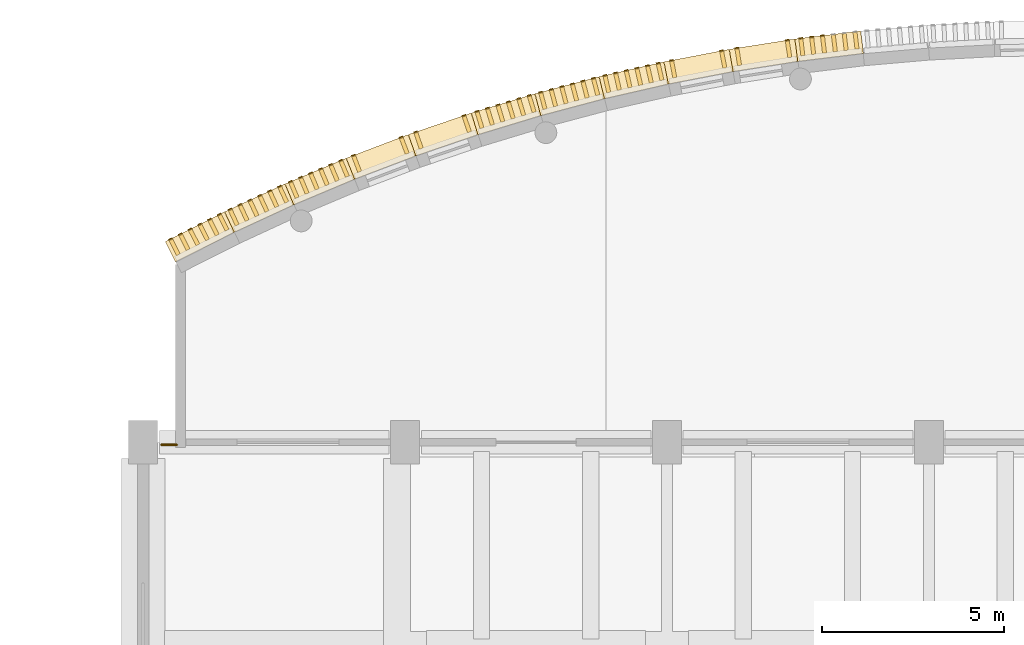
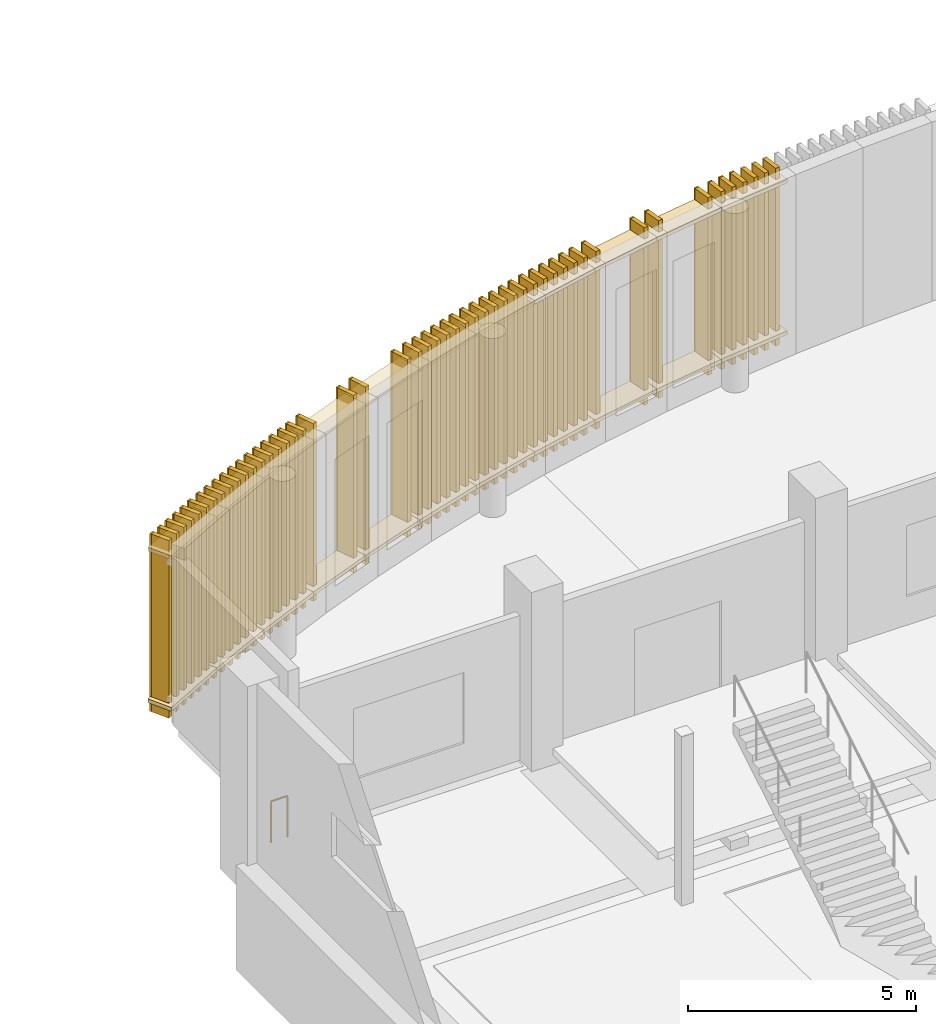
# One storey, part 74 of 82: 69 coverings, 50 shading devices, 1 railing.
"""IFC4 building model written with IfcOpenShell, lengths in metres."""

from ifc_helpers import new_model, si_unit, direction, frame, origin, origin_2d, place, context, subcontext, project, spatial, rectangle, circle, extrude, material, layer, layer_set, type_object, element, save


model = new_model("IFC4")

# Units and contexts
model_context = context("Model", 3, precision=1e-05, world=origin(), true_north=direction((0.0, 1.0)))
body_context = subcontext(model_context, "Body", "Model", "MODEL_VIEW")
ifc_project = project(units=[si_unit("LENGTHUNIT", "METRE"), si_unit("AREAUNIT", "SQUARE_METRE"), si_unit("VOLUMEUNIT", "CUBIC_METRE"), si_unit("PLANEANGLEUNIT", "RADIAN"), si_unit("MASSUNIT", "GRAM", prefix="KILO")], contexts=[model_context])

# Site, building, storey
site_placement = place(None, origin())
site = spatial("IfcSite", under=ifc_project, at=site_placement, CompositionType="ELEMENT")
building_placement = place(site_placement, origin())
building = spatial("IfcBuilding", under=site, at=building_placement, Name="Sardonyx Promenade Sports Hall", CompositionType="ELEMENT")
storey_placement = place(building_placement, frame((0.0, 0.0, 11.199951171875)))
storey = spatial("IfcBuildingStorey", under=building, at=storey_placement, Name="L02", CompositionType="ELEMENT", Elevation=11.199951171875)

# Coverings
ifc_material_1 = material(Name="Glulam GL28h", Category="wood")
ifc_layer = layer(ifc_material_1, 0.110107421875)
ifc_layer_set = layer_set([ifc_layer], Name="Cov_Louvre_GL28h")
covering_type = type_object("IfcCoveringType", Name="Cov_Louvre_GL28h", PredefinedType="MOLDING", material=ifc_layer_set)
for number, where, z_axis, x_axis, name in (
    (1, (30.361083984375, 110.0458984375, 0.320068359375), (0.0, 0.0, 1.0), (0.892773817004, 0.450505173857, 0.0), "Bowed louvre carrier rail L02 CH01 #1"),
    (2, (30.361083984375, 110.0458984375, 4.3798828125), (0.0, 0.0, 1.0), (0.892773817004, 0.450505173857, 0.0), "Bowed louvre carrier rail L02 CH01 #2"),
):
    element("IfcCovering", number, at=place(storey_placement, frame(where, z_axis=z_axis, x_axis=x_axis)), inside=storey, type_object=covering_type, Name=name, PredefinedType="MOLDING", context=body_context, shape_type="SweptSolid", body=[
        extrude(rectangle(XDim=1.820068359375, YDim=0.6201171875, at=origin_2d()), origin(), (0.0, 0.0, 1.0), 0.10009765625),
    ])
for number, where, z_axis, x_axis, name in (
    (3, (29.5517578125, 109.984619140625, 0.02001953125), (0.0, 0.0, 1.0), (0.892773817004, 0.450505173857, 0.0), "Timber louvre nose molding L02 CH01 #1"),
    (4, (29.819580078125, 110.119873046875, 0.02001953125), (0.0, 0.0, 1.0), (0.892773817004, 0.450505173857, 0.0), "Timber louvre nose molding L02 CH01 #2"),
    (5, (30.08740234375, 110.2548828125, 0.02001953125), (0.0, 0.0, 1.0), (0.892773817004, 0.450505173857, 0.0), "Timber louvre nose molding L02 CH01 #3"),
    (6, (30.355224609375, 110.39013671875, 0.02001953125), (0.0, 0.0, 1.0), (0.892773817004, 0.450505173857, 0.0), "Timber louvre nose molding L02 CH01 #4"),
    (7, (30.623046875, 110.525390625, 0.02001953125), (0.0, 0.0, 1.0), (0.892773817004, 0.450505173857, 0.0), "Timber louvre nose molding L02 CH01 #5"),
    (8, (30.890869140625, 110.660400390625, 0.02001953125), (0.0, 0.0, 1.0), (0.892773817004, 0.450505173857, 0.0), "Timber louvre nose molding L02 CH01 #6"),
):
    element("IfcCovering", number, at=place(storey_placement, frame(where, z_axis=z_axis, x_axis=x_axis)), inside=storey, type_object=covering_type, Name=name, PredefinedType="MOLDING", context=body_context, shape_type="SweptSolid", body=[
        extrude(rectangle(XDim=0.110107421875, YDim=0.0400390625, at=origin_2d()), origin(), (0.0, 0.0, 1.0), 4.760009765625),
    ])
for number, where, z_axis, x_axis, name in (
    (9, (31.99658203125, 110.8359375, 0.320068359375), (0.0, 0.0, 1.0), (0.90783091315, 0.419336419989, 0.0), "Bowed louvre carrier rail L02 CH02 #1"),
    (10, (31.99658203125, 110.8359375, 4.3798828125), (0.0, 0.0, 1.0), (0.90783091315, 0.419336419989, 0.0), "Bowed louvre carrier rail L02 CH02 #2"),
):
    element("IfcCovering", number, at=place(storey_placement, frame(where, z_axis=z_axis, x_axis=x_axis)), inside=storey, type_object=covering_type, Name=name, PredefinedType="MOLDING", context=body_context, shape_type="SweptSolid", body=[
        extrude(rectangle(XDim=1.820068359375, YDim=0.6201171875, at=origin_2d()), origin(), (0.0, 0.0, 1.0), 0.10009765625),
    ])
for number, where, z_axis, x_axis, name in (
    (11, (31.185546875, 110.802734375, 0.02001953125), (0.0, 0.0, 1.0), (0.90783091315, 0.419336419989, 0.0), "Timber louvre nose molding L02 CH02 #1"),
    (12, (31.4580078125, 110.9287109375, 0.02001953125), (0.0, 0.0, 1.0), (0.90783091315, 0.419336419989, 0.0), "Timber louvre nose molding L02 CH02 #2"),
    (13, (31.730224609375, 111.054443359375, 0.02001953125), (0.0, 0.0, 1.0), (0.90783091315, 0.419336419989, 0.0), "Timber louvre nose molding L02 CH02 #3"),
    (14, (32.002685546875, 111.18017578125, 0.02001953125), (0.0, 0.0, 1.0), (0.90783091315, 0.419336419989, 0.0), "Timber louvre nose molding L02 CH02 #4"),
    (15, (32.275146484375, 111.30615234375, 0.02001953125), (0.0, 0.0, 1.0), (0.90783091315, 0.419336419989, 0.0), "Timber louvre nose molding L02 CH02 #5"),
    (16, (32.54736328125, 111.431884765625, 0.02001953125), (0.0, 0.0, 1.0), (0.90783091315, 0.419336419989, 0.0), "Timber louvre nose molding L02 CH02 #6"),
):
    element("IfcCovering", number, at=place(storey_placement, frame(where, z_axis=z_axis, x_axis=x_axis)), inside=storey, type_object=covering_type, Name=name, PredefinedType="MOLDING", context=body_context, shape_type="SweptSolid", body=[
        extrude(rectangle(XDim=0.110107421875, YDim=0.0400390625, at=origin_2d()), origin(), (0.0, 0.0, 1.0), 4.760009765625),
    ])
for number, where, z_axis, x_axis, name in (
    (17, (33.658447265625, 111.56884765625, 0.320068359375), (0.0, 0.0, 1.0), (0.921800239612, 0.387665214136, 0.0), "Bowed louvre carrier rail L02 CH03 #1"),
    (18, (33.658447265625, 111.56884765625, 4.3798828125), (0.0, 0.0, 1.0), (0.921800239612, 0.387665214136, 0.0), "Bowed louvre carrier rail L02 CH03 #2"),
):
    element("IfcCovering", number, at=place(storey_placement, frame(where, z_axis=z_axis, x_axis=x_axis)), inside=storey, type_object=covering_type, Name=name, PredefinedType="MOLDING", context=body_context, shape_type="SweptSolid", body=[
        extrude(rectangle(XDim=1.820068359375, YDim=0.6201171875, at=origin_2d()), origin(), (0.0, 0.0, 1.0), 0.10009765625),
    ])
for number, where, z_axis, x_axis, name in (
    (19, (32.846923828125, 111.56396484375, 0.02001953125), (0.0, 0.0, 1.0), (0.921800239612, 0.387665214136, 0.0), "Timber louvre nose molding L02 CH03 #1"),
    (20, (33.123291015625, 111.68017578125, 0.02001953125), (0.0, 0.0, 1.0), (0.921800239612, 0.387665214136, 0.0), "Timber louvre nose molding L02 CH03 #2"),
    (21, (33.39990234375, 111.796630859375, 0.02001953125), (0.0, 0.0, 1.0), (0.921800239612, 0.387665214136, 0.0), "Timber louvre nose molding L02 CH03 #3"),
    (22, (33.676513671875, 111.912841796875, 0.02001953125), (0.0, 0.0, 1.0), (0.921800239612, 0.387665214136, 0.0), "Timber louvre nose molding L02 CH03 #4"),
    (23, (33.953125, 112.029052734375, 0.02001953125), (0.0, 0.0, 1.0), (0.921800239612, 0.387665214136, 0.0), "Timber louvre nose molding L02 CH03 #5"),
    (24, (34.2294921875, 112.1455078125, 0.02001953125), (0.0, 0.0, 1.0), (0.921800239612, 0.387665214136, 0.0), "Timber louvre nose molding L02 CH03 #6"),
):
    element("IfcCovering", number, at=place(storey_placement, frame(where, z_axis=z_axis, x_axis=x_axis)), inside=storey, type_object=covering_type, Name=name, PredefinedType="MOLDING", context=body_context, shape_type="SweptSolid", body=[
        extrude(rectangle(XDim=0.110107421875, YDim=0.0400390625, at=origin_2d()), origin(), (0.0, 0.0, 1.0), 4.760009765625),
    ])
for number, where, z_axis, x_axis, name in (
    (25, (35.3447265625, 112.243896484375, 0.320068359375), (0.0, 0.0, 1.0), (0.934665678755, 0.355527873671, 0.0), "Bowed louvre carrier rail L02 CH04 #1"),
    (26, (35.3447265625, 112.243896484375, 4.3798828125), (0.0, 0.0, 1.0), (0.934665678755, 0.355527873671, 0.0), "Bowed louvre carrier rail L02 CH04 #2"),
):
    element("IfcCovering", number, at=place(storey_placement, frame(where, z_axis=z_axis, x_axis=x_axis)), inside=storey, type_object=covering_type, Name=name, PredefinedType="MOLDING", context=body_context, shape_type="SweptSolid", body=[
        extrude(rectangle(XDim=1.820068359375, YDim=0.6201171875, at=origin_2d()), origin(), (0.0, 0.0, 1.0), 0.10009765625),
    ])
for number, where, z_axis, x_axis, name in (
    (27, (34.580078125, 112.284912109375, 0.02001953125), (0.0, 0.0, 1.0), (0.934665678755, 0.355527873671, 0.0), "Timber louvre nose molding L02 CH04 #1"),
    (28, (35.888671875, 112.782470703125, 0.02001953125), (0.0, 0.0, 1.0), (0.934665678755, 0.355527873671, 0.0), "Timber louvre nose molding L02 CH04 #2"),
):
    element("IfcCovering", number, at=place(storey_placement, frame(where, z_axis=z_axis, x_axis=x_axis)), inside=storey, type_object=covering_type, Name=name, PredefinedType="MOLDING", context=body_context, shape_type="SweptSolid", body=[
        extrude(rectangle(XDim=0.110107421875, YDim=0.0400390625, at=origin_2d()), origin(), (0.0, 0.0, 1.0), 4.760009765625),
    ])
for number, where, z_axis, x_axis, name in (
    (29, (37.05322265625, 112.8603515625, 0.320068359375), (0.0, 0.0, 1.0), (0.946410517999, 0.322966145935, 0.0), "Bowed louvre carrier rail L02 CH05 #1"),
    (30, (37.05322265625, 112.8603515625, 4.3798828125), (0.0, 0.0, 1.0), (0.946410517999, 0.322966145935, 0.0), "Bowed louvre carrier rail L02 CH05 #2"),
):
    element("IfcCovering", number, at=place(storey_placement, frame(where, z_axis=z_axis, x_axis=x_axis)), inside=storey, type_object=covering_type, Name=name, PredefinedType="MOLDING", context=body_context, shape_type="SweptSolid", body=[
        extrude(rectangle(XDim=1.820068359375, YDim=0.6201171875, at=origin_2d()), origin(), (0.0, 0.0, 1.0), 0.10009765625),
    ])
for number, where, z_axis, x_axis, name in (
    (31, (36.29052734375, 112.927490234375, 0.02001953125), (0.0, 0.0, 1.0), (0.946410517999, 0.322966145935, 0.0), "Timber louvre nose molding L02 CH05 #1"),
    (32, (37.615478515625, 113.379638671875, 0.02001953125), (0.0, 0.0, 1.0), (0.946410517999, 0.322966145935, 0.0), "Timber louvre nose molding L02 CH05 #2"),
):
    element("IfcCovering", number, at=place(storey_placement, frame(where, z_axis=z_axis, x_axis=x_axis)), inside=storey, type_object=covering_type, Name=name, PredefinedType="MOLDING", context=body_context, shape_type="SweptSolid", body=[
        extrude(rectangle(XDim=0.110107421875, YDim=0.0400390625, at=origin_2d()), origin(), (0.0, 0.0, 1.0), 4.760009765625),
    ])
for number, where, z_axis, x_axis, name in (
    (33, (38.7822265625, 113.4169921875, 0.320068359375), (0.0, 0.0, 1.0), (0.957021361193, 0.290017437786, 0.0), "Bowed louvre carrier rail L02 CH06 #1"),
    (34, (38.7822265625, 113.4169921875, 4.3798828125), (0.0, 0.0, 1.0), (0.957021361193, 0.290017437786, 0.0), "Bowed louvre carrier rail L02 CH06 #2"),
):
    element("IfcCovering", number, at=place(storey_placement, frame(where, z_axis=z_axis, x_axis=x_axis)), inside=storey, type_object=covering_type, Name=name, PredefinedType="MOLDING", context=body_context, shape_type="SweptSolid", body=[
        extrude(rectangle(XDim=1.820068359375, YDim=0.6201171875, at=origin_2d()), origin(), (0.0, 0.0, 1.0), 0.10009765625),
    ])
for number, where, z_axis, x_axis, name in (
    (35, (37.974365234375, 113.49609375, 0.02001953125), (0.0, 0.0, 1.0), (0.957021361193, 0.290017437786, 0.0), "Timber louvre nose molding L02 CH06 #1"),
    (36, (38.261474609375, 113.583251953125, 0.02001953125), (0.0, 0.0, 1.0), (0.957021361193, 0.290017437786, 0.0), "Timber louvre nose molding L02 CH06 #2"),
    (37, (38.548583984375, 113.670166015625, 0.02001953125), (0.0, 0.0, 1.0), (0.957021361193, 0.290017437786, 0.0), "Timber louvre nose molding L02 CH06 #3"),
    (38, (38.835693359375, 113.757080078125, 0.02001953125), (0.0, 0.0, 1.0), (0.957021361193, 0.290017437786, 0.0), "Timber louvre nose molding L02 CH06 #4"),
    (39, (39.122802734375, 113.84423828125, 0.02001953125), (0.0, 0.0, 1.0), (0.957021361193, 0.290017437786, 0.0), "Timber louvre nose molding L02 CH06 #5"),
    (40, (39.409912109375, 113.93115234375, 0.02001953125), (0.0, 0.0, 1.0), (0.957021361193, 0.290017437786, 0.0), "Timber louvre nose molding L02 CH06 #6"),
):
    element("IfcCovering", number, at=place(storey_placement, frame(where, z_axis=z_axis, x_axis=x_axis)), inside=storey, type_object=covering_type, Name=name, PredefinedType="MOLDING", context=body_context, shape_type="SweptSolid", body=[
        extrude(rectangle(XDim=0.110107421875, YDim=0.0400390625, at=origin_2d()), origin(), (0.0, 0.0, 1.0), 4.760009765625),
    ])
for number, where, z_axis, x_axis, name in (
    (41, (40.529296875, 113.91357421875, 0.320068359375), (0.0, 0.0, 1.0), (0.966485494347, 0.256721228607, 0.0), "Bowed louvre carrier rail L02 CH07 #1"),
    (42, (40.529296875, 113.91357421875, 4.3798828125), (0.0, 0.0, 1.0), (0.966485494347, 0.256721228607, 0.0), "Bowed louvre carrier rail L02 CH07 #2"),
):
    element("IfcCovering", number, at=place(storey_placement, frame(where, z_axis=z_axis, x_axis=x_axis)), inside=storey, type_object=covering_type, Name=name, PredefinedType="MOLDING", context=body_context, shape_type="SweptSolid", body=[
        extrude(rectangle(XDim=1.820068359375, YDim=0.6201171875, at=origin_2d()), origin(), (0.0, 0.0, 1.0), 0.10009765625),
    ])
for number, where, z_axis, x_axis, name in (
    (43, (39.724853515625, 114.020751953125, 0.02001953125), (0.0, 0.0, 1.0), (0.966485494347, 0.256721228607, 0.0), "Timber louvre nose molding L02 CH07 #1"),
    (44, (40.0146484375, 114.09765625, 0.02001953125), (0.0, 0.0, 1.0), (0.966485494347, 0.256721228607, 0.0), "Timber louvre nose molding L02 CH07 #2"),
    (45, (40.3046875, 114.1748046875, 0.02001953125), (0.0, 0.0, 1.0), (0.966485494347, 0.256721228607, 0.0), "Timber louvre nose molding L02 CH07 #3"),
    (46, (40.5947265625, 114.251708984375, 0.02001953125), (0.0, 0.0, 1.0), (0.966485494347, 0.256721228607, 0.0), "Timber louvre nose molding L02 CH07 #4"),
    (47, (40.884521484375, 114.328857421875, 0.02001953125), (0.0, 0.0, 1.0), (0.966485494347, 0.256721228607, 0.0), "Timber louvre nose molding L02 CH07 #5"),
    (48, (41.174560546875, 114.40576171875, 0.02001953125), (0.0, 0.0, 1.0), (0.966485494347, 0.256721228607, 0.0), "Timber louvre nose molding L02 CH07 #6"),
):
    element("IfcCovering", number, at=place(storey_placement, frame(where, z_axis=z_axis, x_axis=x_axis)), inside=storey, type_object=covering_type, Name=name, PredefinedType="MOLDING", context=body_context, shape_type="SweptSolid", body=[
        extrude(rectangle(XDim=0.110107421875, YDim=0.0400390625, at=origin_2d()), origin(), (0.0, 0.0, 1.0), 4.760009765625),
    ])
for number, where, z_axis, x_axis, name in (
    (49, (42.29248046875, 114.349365234375, 0.320068359375), (0.0, 0.0, 1.0), (0.974791577465, 0.223117414163, 0.0), "Bowed louvre carrier rail L02 CH08 #1"),
    (50, (42.29248046875, 114.349365234375, 4.3798828125), (0.0, 0.0, 1.0), (0.974791577465, 0.223117414163, 0.0), "Bowed louvre carrier rail L02 CH08 #2"),
):
    element("IfcCovering", number, at=place(storey_placement, frame(where, z_axis=z_axis, x_axis=x_axis)), inside=storey, type_object=covering_type, Name=name, PredefinedType="MOLDING", context=body_context, shape_type="SweptSolid", body=[
        extrude(rectangle(XDim=1.820068359375, YDim=0.6201171875, at=origin_2d()), origin(), (0.0, 0.0, 1.0), 0.10009765625),
    ])
for number, where, z_axis, x_axis, name in (
    (51, (41.4921875, 114.484375, 0.02001953125), (0.0, 0.0, 1.0), (0.974791577465, 0.223117414163, 0.0), "Timber louvre nose molding L02 CH08 #1"),
    (52, (41.78466796875, 114.55126953125, 0.02001953125), (0.0, 0.0, 1.0), (0.974791577465, 0.223117414163, 0.0), "Timber louvre nose molding L02 CH08 #2"),
    (53, (42.0771484375, 114.6181640625, 0.02001953125), (0.0, 0.0, 1.0), (0.974791577465, 0.223117414163, 0.0), "Timber louvre nose molding L02 CH08 #3"),
    (54, (42.36962890625, 114.68505859375, 0.02001953125), (0.0, 0.0, 1.0), (0.974791577465, 0.223117414163, 0.0), "Timber louvre nose molding L02 CH08 #4"),
    (55, (42.662109375, 114.751953125, 0.02001953125), (0.0, 0.0, 1.0), (0.974791577465, 0.223117414163, 0.0), "Timber louvre nose molding L02 CH08 #5"),
    (56, (42.95458984375, 114.819091796875, 0.02001953125), (0.0, 0.0, 1.0), (0.974791577465, 0.223117414163, 0.0), "Timber louvre nose molding L02 CH08 #6"),
):
    element("IfcCovering", number, at=place(storey_placement, frame(where, z_axis=z_axis, x_axis=x_axis)), inside=storey, type_object=covering_type, Name=name, PredefinedType="MOLDING", context=body_context, shape_type="SweptSolid", body=[
        extrude(rectangle(XDim=0.110107421875, YDim=0.0400390625, at=origin_2d()), origin(), (0.0, 0.0, 1.0), 4.760009765625),
    ])
for number, where, z_axis, x_axis, name in (
    (57, (44.06982421875, 114.72412109375, 0.320068359375), (0.0, 0.0, 1.0), (0.981929658139, 0.18924625879, 0.0), "Bowed louvre carrier rail L02 CH09 #1"),
    (58, (44.06982421875, 114.72412109375, 4.3798828125), (0.0, 0.0, 1.0), (0.981929658139, 0.18924625879, 0.0), "Bowed louvre carrier rail L02 CH09 #2"),
):
    element("IfcCovering", number, at=place(storey_placement, frame(where, z_axis=z_axis, x_axis=x_axis)), inside=storey, type_object=covering_type, Name=name, PredefinedType="MOLDING", context=body_context, shape_type="SweptSolid", body=[
        extrude(rectangle(XDim=1.820068359375, YDim=0.6201171875, at=origin_2d()), origin(), (0.0, 0.0, 1.0), 0.10009765625),
    ])
for number, where, z_axis, x_axis, name in (
    (59, (43.32373046875, 114.89599609375, 0.02001953125), (0.0, 0.0, 1.0), (0.981929658139, 0.18924625879, 0.0), "Timber louvre nose molding L02 CH09 #1"),
    (60, (44.698486328125, 115.160888671875, 0.02001953125), (0.0, 0.0, 1.0), (0.981929658139, 0.18924625879, 0.0), "Timber louvre nose molding L02 CH09 #2"),
):
    element("IfcCovering", number, at=place(storey_placement, frame(where, z_axis=z_axis, x_axis=x_axis)), inside=storey, type_object=covering_type, Name=name, PredefinedType="MOLDING", context=body_context, shape_type="SweptSolid", body=[
        extrude(rectangle(XDim=0.110107421875, YDim=0.0400390625, at=origin_2d()), origin(), (0.0, 0.0, 1.0), 4.760009765625),
    ])
for number, where, z_axis, x_axis, name in (
    (61, (45.859130859375, 115.036865234375, 0.320068359375), (0.0, 0.0, 1.0), (0.987891183468, 0.155148347157, 0.0), "Bowed louvre carrier rail L02 CH10 #1"),
    (62, (45.859130859375, 115.036865234375, 4.3798828125), (0.0, 0.0, 1.0), (0.987891183468, 0.155148347157, 0.0), "Bowed louvre carrier rail L02 CH10 #2"),
):
    element("IfcCovering", number, at=place(storey_placement, frame(where, z_axis=z_axis, x_axis=x_axis)), inside=storey, type_object=covering_type, Name=name, PredefinedType="MOLDING", context=body_context, shape_type="SweptSolid", body=[
        extrude(rectangle(XDim=1.820068359375, YDim=0.6201171875, at=origin_2d()), origin(), (0.0, 0.0, 1.0), 0.10009765625),
    ])
for number, where, z_axis, x_axis, name in (
    (63, (45.119384765625, 115.234375, 0.02001953125), (0.0, 0.0, 1.0), (0.987891183468, 0.155148347157, 0.0), "Timber louvre nose molding L02 CH10 #1"),
    (64, (46.50244140625, 115.45166015625, 0.02001953125), (0.0, 0.0, 1.0), (0.987891183468, 0.155148347157, 0.0), "Timber louvre nose molding L02 CH10 #2"),
):
    element("IfcCovering", number, at=place(storey_placement, frame(where, z_axis=z_axis, x_axis=x_axis)), inside=storey, type_object=covering_type, Name=name, PredefinedType="MOLDING", context=body_context, shape_type="SweptSolid", body=[
        extrude(rectangle(XDim=0.110107421875, YDim=0.0400390625, at=origin_2d()), origin(), (0.0, 0.0, 1.0), 4.760009765625),
    ])
for number, where, z_axis, x_axis, name in (
    (65, (47.657958984375, 115.28759765625, 0.320068359375), (0.0, 0.0, 1.0), (0.992669221255, 0.120862803098, 0.0), "Bowed louvre carrier rail L02 CH11 #1"),
    (66, (47.657958984375, 115.28759765625, 4.3798828125), (0.0, 0.0, 1.0), (0.992669221255, 0.120862803098, 0.0), "Bowed louvre carrier rail L02 CH11 #2"),
):
    element("IfcCovering", number, at=place(storey_placement, frame(where, z_axis=z_axis, x_axis=x_axis)), inside=storey, type_object=covering_type, Name=name, PredefinedType="MOLDING", context=body_context, shape_type="SweptSolid", body=[
        extrude(rectangle(XDim=1.820068359375, YDim=0.6201171875, at=origin_2d()), origin(), (0.0, 0.0, 1.0), 0.10009765625),
    ])
for number, where, z_axis, x_axis, name in (
    (67, (46.8759765625, 115.504638671875, 0.02001953125), (0.0, 0.0, 1.0), (0.992669221255, 0.120862803098, 0.0), "Timber louvre nose molding L02 CH11 #1"),
    (68, (47.173828125, 115.540771484375, 0.02001953125), (0.0, 0.0, 1.0), (0.992669221255, 0.120862803098, 0.0), "Timber louvre nose molding L02 CH11 #2"),
    (69, (47.4716796875, 115.5771484375, 0.02001953125), (0.0, 0.0, 1.0), (0.992669221255, 0.120862803098, 0.0), "Timber louvre nose molding L02 CH11 #3"),
):
    element("IfcCovering", number, at=place(storey_placement, frame(where, z_axis=z_axis, x_axis=x_axis)), inside=storey, type_object=covering_type, Name=name, PredefinedType="MOLDING", context=body_context, shape_type="SweptSolid", body=[
        extrude(rectangle(XDim=0.110107421875, YDim=0.0400390625, at=origin_2d()), origin(), (0.0, 0.0, 1.0), 4.760009765625),
    ])

# Railing
ifc_material_2 = material(Name="Powder-coated Steel S355JR", Category="steel")
railing_type = type_object("IfcRailingType", Name="Rail_Int_Guard_1100", PredefinedType="GUARDRAIL", material=ifc_material_2)
railing_placement = place(storey_placement, frame((29.7236328125, 104.330078125, 0.0)))
element("IfcRailing", 70, at=railing_placement, inside=storey, type_object=railing_type, Name="Deck-edge guardrail GR02 L02 #49", PredefinedType="GUARDRAIL", context=body_context, shape_type="SweptSolid", body=[
    extrude(circle(Radius=0.02392578125, at=origin_2d()), frame((0.0, 0.0, 1.09619140625), z_axis=(-1.0, 0.0, 0.0), x_axis=(0.0, -1.0, 0.0)), (0.0, 0.0, 1.0), 0.423583984375),
    extrude(circle(Radius=0.02099609375, at=origin_2d()), origin(), (0.0, 0.0, 1.0), 1.072021484375),
    extrude(circle(Radius=0.02099609375, at=origin_2d()), frame((-0.423583984375, 0.0, 0.0)), (0.0, 0.0, 1.0), 1.072021484375),
])

# Shading devices
ifc_material_3 = material(Name="Glulam GL28h", Category="wood")
shading_device_type_1 = type_object("IfcShadingDeviceType", Name="Shade_Fin_GL28h", PredefinedType="USERDEFINED", material=ifc_material_3)
for number, where, z_axis, x_axis, name in (
    (71, (34.669025, 112.051168, 0.020049), (0.0, 0.0, 1.0), (0.93466568, 0.35552787, 0.0), "Timber fin TF01 L02 CH04 #1"),
    (72, (35.977557, 112.548908, 0.020049), (0.0, 0.0, 1.0), (0.93466568, 0.35552787, 0.0), "Timber fin TF01 L02 CH04 #2"),
    (73, (36.371355, 112.690949, 0.020049), (0.0, 0.0, 1.0), (0.94641052, 0.32296615, 0.0), "Timber fin TF01 L02 CH05 #1"),
    (74, (37.696329, 113.143102, 0.020049), (0.0, 0.0, 1.0), (0.94641052, 0.32296615, 0.0), "Timber fin TF01 L02 CH05 #2"),
    (75, (43.371143, 114.650467, 0.020049), (0.0, 0.0, 1.0), (0.98192966, 0.18924626, 0.0), "Timber fin TF01 L02 CH09 #1"),
    (76, (44.745845, 114.915412, 0.020049), (0.0, 0.0, 1.0), (0.98192966, 0.18924626, 0.0), "Timber fin TF01 L02 CH09 #2"),
    (77, (45.158221, 114.98751, 0.020049), (0.0, 0.0, 1.0), (0.98789118, 0.15514835, 0.0), "Timber fin TF01 L02 CH10 #1"),
    (78, (46.541269, 115.204717, 0.020049), (0.0, 0.0, 1.0), (0.98789118, 0.15514835, 0.0), "Timber fin TF01 L02 CH10 #2"),
):
    element("IfcShadingDevice", number, at=place(storey_placement, frame(where, z_axis=z_axis, x_axis=x_axis)), inside=storey, type_object=shading_device_type_1, material=ifc_material_3, Name=name, ObjectType="FIN", PredefinedType="USERDEFINED", context=body_context, shape_type="SweptSolid", body=[
        extrude(rectangle(XDim=0.11, YDim=0.46), origin(), (0.0, 0.0, 1.0), 4.76),
    ])
shading_device_type_2 = type_object("IfcShadingDeviceType", Name="Shade_Louvre_GL28h", PredefinedType="USERDEFINED", material=ifc_material_3)
for number, where, z_axis, x_axis, name in (
    (79, (29.66439, 109.761506, 0.020049), (0.0, 0.0, 1.0), (0.89277382, 0.45050517, 0.0), "Timber louvre TL01 L02 CH01 #1"),
    (80, (29.932223, 109.896657, 0.020049), (0.0, 0.0, 1.0), (0.89277382, 0.45050517, 0.0), "Timber louvre TL01 L02 CH01 #2"),
    (81, (30.200055, 110.031809, 0.020049), (0.0, 0.0, 1.0), (0.89277382, 0.45050517, 0.0), "Timber louvre TL01 L02 CH01 #3"),
    (82, (30.467887, 110.16696, 0.020049), (0.0, 0.0, 1.0), (0.89277382, 0.45050517, 0.0), "Timber louvre TL01 L02 CH01 #4"),
    (83, (30.735719, 110.302112, 0.020049), (0.0, 0.0, 1.0), (0.89277382, 0.45050517, 0.0), "Timber louvre TL01 L02 CH01 #5"),
    (84, (31.003551, 110.437263, 0.020049), (0.0, 0.0, 1.0), (0.89277382, 0.45050517, 0.0), "Timber louvre TL01 L02 CH01 #6"),
    (85, (31.290473, 110.57587, 0.020049), (0.0, 0.0, 1.0), (0.90783091, 0.41933642, 0.0), "Timber louvre TL01 L02 CH02 #1"),
    (86, (31.562822, 110.701671, 0.020049), (0.0, 0.0, 1.0), (0.90783091, 0.41933642, 0.0), "Timber louvre TL01 L02 CH02 #2"),
    (87, (31.835172, 110.827472, 0.020049), (0.0, 0.0, 1.0), (0.90783091, 0.41933642, 0.0), "Timber louvre TL01 L02 CH02 #3"),
    (88, (32.107521, 110.953273, 0.020049), (0.0, 0.0, 1.0), (0.90783091, 0.41933642, 0.0), "Timber louvre TL01 L02 CH02 #4"),
    (89, (32.37987, 111.079073, 0.020049), (0.0, 0.0, 1.0), (0.90783091, 0.41933642, 0.0), "Timber louvre TL01 L02 CH02 #5"),
    (90, (32.65222, 111.204874, 0.020049), (0.0, 0.0, 1.0), (0.90783091, 0.41933642, 0.0), "Timber louvre TL01 L02 CH02 #6"),
    (91, (32.943767, 111.333468, 0.020049), (0.0, 0.0, 1.0), (0.92180024, 0.38766521, 0.0), "Timber louvre TL01 L02 CH03 #1"),
    (92, (33.220307, 111.449767, 0.020049), (0.0, 0.0, 1.0), (0.92180024, 0.38766521, 0.0), "Timber louvre TL01 L02 CH03 #2"),
    (93, (33.496847, 111.566067, 0.020049), (0.0, 0.0, 1.0), (0.92180024, 0.38766521, 0.0), "Timber louvre TL01 L02 CH03 #3"),
    (94, (33.773387, 111.682366, 0.020049), (0.0, 0.0, 1.0), (0.92180024, 0.38766521, 0.0), "Timber louvre TL01 L02 CH03 #4"),
    (95, (34.049927, 111.798666, 0.020049), (0.0, 0.0, 1.0), (0.92180024, 0.38766521, 0.0), "Timber louvre TL01 L02 CH03 #5"),
    (96, (34.326468, 111.914965, 0.020049), (0.0, 0.0, 1.0), (0.92180024, 0.38766521, 0.0), "Timber louvre TL01 L02 CH03 #6"),
    (97, (38.046957, 113.256928, 0.020049), (0.0, 0.0, 1.0), (0.95702136, 0.29001744, 0.0), "Timber louvre TL01 L02 CH06 #1"),
    (98, (38.334063, 113.343933, 0.020049), (0.0, 0.0, 1.0), (0.95702136, 0.29001744, 0.0), "Timber louvre TL01 L02 CH06 #2"),
    (99, (38.621169, 113.430939, 0.020049), (0.0, 0.0, 1.0), (0.95702136, 0.29001744, 0.0), "Timber louvre TL01 L02 CH06 #3"),
    (100, (38.908276, 113.517944, 0.020049), (0.0, 0.0, 1.0), (0.95702136, 0.29001744, 0.0), "Timber louvre TL01 L02 CH06 #4"),
    (101, (39.195382, 113.60495, 0.020049), (0.0, 0.0, 1.0), (0.95702136, 0.29001744, 0.0), "Timber louvre TL01 L02 CH06 #5"),
    (102, (39.482488, 113.691955, 0.020049), (0.0, 0.0, 1.0), (0.95702136, 0.29001744, 0.0), "Timber louvre TL01 L02 CH06 #6"),
    (103, (39.788994, 113.779076, 0.020049), (0.0, 0.0, 1.0), (0.96648549, 0.25672123, 0.0), "Timber louvre TL01 L02 CH07 #1"),
    (104, (40.07894, 113.856093, 0.020049), (0.0, 0.0, 1.0), (0.96648549, 0.25672123, 0.0), "Timber louvre TL01 L02 CH07 #2"),
    (105, (40.368885, 113.933109, 0.020049), (0.0, 0.0, 1.0), (0.96648549, 0.25672123, 0.0), "Timber louvre TL01 L02 CH07 #3"),
    (106, (40.658831, 114.010126, 0.020049), (0.0, 0.0, 1.0), (0.96648549, 0.25672123, 0.0), "Timber louvre TL01 L02 CH07 #4"),
    (107, (40.948777, 114.087142, 0.020049), (0.0, 0.0, 1.0), (0.96648549, 0.25672123, 0.0), "Timber louvre TL01 L02 CH07 #5"),
    (108, (41.238722, 114.164159, 0.020049), (0.0, 0.0, 1.0), (0.96648549, 0.25672123, 0.0), "Timber louvre TL01 L02 CH07 #6"),
    (109, (41.54806, 114.24062, 0.020049), (0.0, 0.0, 1.0), (0.97479158, 0.22311741, 0.0), "Timber louvre TL01 L02 CH08 #1"),
    (110, (41.840498, 114.307555, 0.020049), (0.0, 0.0, 1.0), (0.97479158, 0.22311741, 0.0), "Timber louvre TL01 L02 CH08 #2"),
    (111, (42.132935, 114.37449, 0.020049), (0.0, 0.0, 1.0), (0.97479158, 0.22311741, 0.0), "Timber louvre TL01 L02 CH08 #3"),
    (112, (42.425373, 114.441426, 0.020049), (0.0, 0.0, 1.0), (0.97479158, 0.22311741, 0.0), "Timber louvre TL01 L02 CH08 #4"),
    (113, (42.71781, 114.508361, 0.020049), (0.0, 0.0, 1.0), (0.97479158, 0.22311741, 0.0), "Timber louvre TL01 L02 CH08 #5"),
    (114, (43.010248, 114.575296, 0.020049), (0.0, 0.0, 1.0), (0.97479158, 0.22311741, 0.0), "Timber louvre TL01 L02 CH08 #6"),
    (115, (46.906262, 115.256456, 0.020049), (0.0, 0.0, 1.0), (0.99266922, 0.1208628, 0.0), "Timber louvre TL01 L02 CH11 #1"),
    (116, (47.204063, 115.292715, 0.020049), (0.0, 0.0, 1.0), (0.99266922, 0.1208628, 0.0), "Timber louvre TL01 L02 CH11 #2"),
    (117, (47.501864, 115.328974, 0.020049), (0.0, 0.0, 1.0), (0.99266922, 0.1208628, 0.0), "Timber louvre TL01 L02 CH11 #3"),
    (118, (47.799664, 115.365233, 0.020049), (0.0, 0.0, 1.0), (0.99266922, 0.1208628, 0.0), "Timber louvre TL01 L02 CH11 #4"),
    (119, (48.097465, 115.401492, 0.020049), (0.0, 0.0, 1.0), (0.99266922, 0.1208628, 0.0), "Timber louvre TL01 L02 CH11 #5"),
    (120, (48.395266, 115.437751, 0.020049), (0.0, 0.0, 1.0), (0.99266922, 0.1208628, 0.0), "Timber louvre TL01 L02 CH11 #6"),
):
    element("IfcShadingDevice", number, at=place(storey_placement, frame(where, z_axis=z_axis, x_axis=x_axis)), inside=storey, type_object=shading_device_type_2, material=ifc_material_3, Name=name, ObjectType="LOUVRE", PredefinedType="USERDEFINED", context=body_context, shape_type="SweptSolid", body=[
        extrude(rectangle(XDim=0.11, YDim=0.46), origin(), (0.0, 0.0, 1.0), 4.76),
    ])

save(model, "model.ifc")
